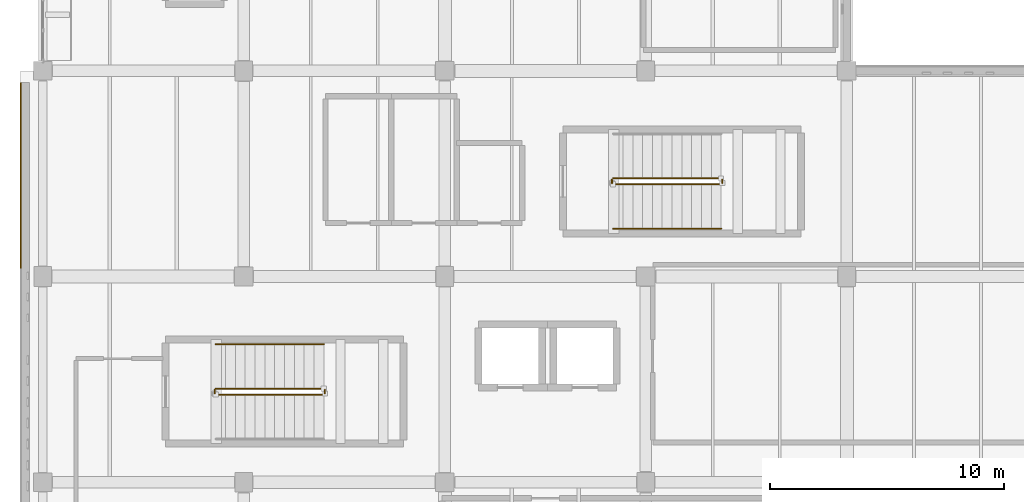
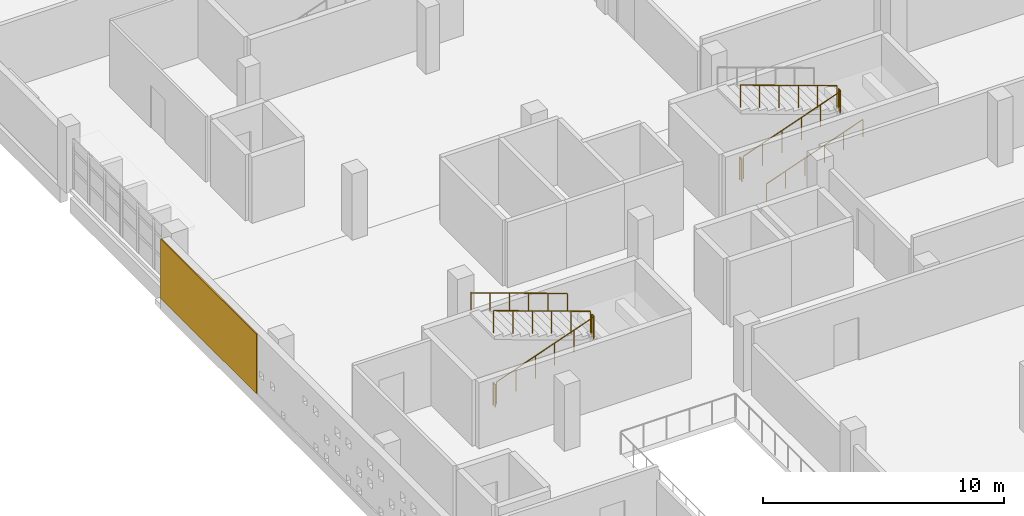
# One storey, part 67 of 75: 10 railings, 1 covering.
"""IFC4 building model written with IfcOpenShell, lengths in metres."""

from ifc_helpers import new_model, si_unit, direction, frame, origin, origin_2d, place, context, subcontext, project, spatial, rectangle, circle, extrude, material, layer, layer_set, type_object, element, save


model = new_model("IFC4")

# Units and contexts
model_context = context("Model", 3, precision=1e-05, world=origin(), true_north=direction((0.0, 1.0)))
body_context = subcontext(model_context, "Body", "Model", "MODEL_VIEW")
ifc_project = project(units=[si_unit("LENGTHUNIT", "METRE"), si_unit("AREAUNIT", "SQUARE_METRE"), si_unit("VOLUMEUNIT", "CUBIC_METRE"), si_unit("PLANEANGLEUNIT", "RADIAN"), si_unit("MASSUNIT", "GRAM", prefix="KILO")], contexts=[model_context])

# Site, building, storey
site_placement = place(None, origin())
site = spatial("IfcSite", under=ifc_project, at=site_placement, CompositionType="ELEMENT")
building_placement = place(site_placement, origin())
building = spatial("IfcBuilding", under=site, at=building_placement, Name="Varnakota Cinema and Media Centre", CompositionType="ELEMENT")
storey_placement = place(building_placement, frame((0.0, 0.0, 8.39990234375)))
storey = spatial("IfcBuildingStorey", under=building, at=storey_placement, Name="L02", CompositionType="ELEMENT", Elevation=8.39990234375)

# Covering
ifc_material_1 = material(Name="Pale Tandur limestone cladding", Category="masonry")
ifc_layer_1 = layer(ifc_material_1, 0.06005859375)
ifc_layer_set_1 = layer_set([ifc_layer_1], Name="Pale Tandur limestone cladding")
covering_type = type_object("IfcCoveringType", Name="COV-TANDUR-ASHLAR-60", PredefinedType="CLADDING", material=ifc_layer_set_1)
covering_placement = place(storey_placement, frame((-0.945068359375, 30.72509765625, 0.330078125), z_axis=(0.0, 0.0, 1.0), x_axis=(0.0, 1.0, 0.0)))
element("IfcCovering", 1, at=covering_placement, inside=storey, type_object=covering_type, Name="L02 V4 pale Tandur stone right corner ashlar V4-W", PredefinedType="CLADDING", context=body_context, shape_type="SweptSolid", body=[
    extrude(rectangle(XDim=7.949951171875, YDim=0.06005859375, at=origin_2d()), origin(), (0.0, 0.0, 1.0), 3.010009765625),
])

# Railings
ifc_material_2 = material(Name="Structural steel Grade 350 (E350)", Category="steel")
ifc_layer_2 = layer(ifc_material_2, 0.050048828125)
ifc_layer_set_2 = layer_set([ifc_layer_2], Name="Structural steel Grade 350 (E350)")
railing_type_1 = type_object("IfcRailingType", Name="RAIL-STAIR-GUARD-1150", PredefinedType="GUARDRAIL", material=ifc_layer_set_2)
railing_1_placement = place(storey_placement, frame((7.39990234375, 21.35009765625, 0.150146484375)))
element("IfcRailing", 2, at=railing_1_placement, inside=storey, type_object=railing_type_1, Name="L02 ST-01 stair guard 1", PredefinedType="GUARDRAIL", context=body_context, shape_type="SweptSolid", body=[
    extrude(circle(Radius=0.02392578125, at=origin_2d()), frame((0.0, 0.0, 1.1259765625), z_axis=(0.941750918478, 0.0, 0.336311176658), x_axis=(0.0, 1.0, 0.0)), (0.0, 0.0, 1.0), 4.90576171875),
    extrude(circle(Radius=0.02099609375, at=origin_2d()), origin(), (0.0, 0.0, 1.0), 1.101806640625),
    extrude(circle(Radius=0.02099609375, at=origin_2d()), frame((0.924072265625, 0.0, 0.330078125)), (0.0, 0.0, 1.0), 1.101806640625),
    extrude(circle(Radius=0.02099609375, at=origin_2d()), frame((1.84814453125, 0.0, 0.659912109375)), (0.0, 0.0, 1.0), 1.101806640625),
    extrude(circle(Radius=0.02099609375, at=origin_2d()), frame((2.77197265625, 0.0, 0.989990234375)), (0.0, 0.0, 1.0), 1.101806640625),
    extrude(circle(Radius=0.02099609375, at=origin_2d()), frame((3.696044921875, 0.0, 1.31982421875)), (0.0, 0.0, 1.0), 1.101806640625),
    extrude(circle(Radius=0.02099609375, at=origin_2d()), frame((4.6201171875, 0.0, 1.64990234375)), (0.0, 0.0, 1.0), 1.101806640625),
])
railing_2_placement = place(storey_placement, frame((12.070068359375, 21.39990234375, 1.800048828125)))
element("IfcRailing", 3, at=railing_2_placement, inside=storey, type_object=railing_type_1, Name="L02 ST-01 stair guard 2", PredefinedType="GUARDRAIL", context=body_context, shape_type="SweptSolid", body=[
    extrude(circle(Radius=0.02392578125, at=origin_2d()), frame((0.0, 0.0, 1.1259765625), z_axis=(0.0, 1.0, 0.0), x_axis=(-1.0, 0.0, 0.0)), (0.0, 0.0, 1.0), 0.150146484375),
    extrude(circle(Radius=0.02099609375, at=origin_2d()), origin(), (0.0, 0.0, 1.0), 1.101806640625),
    extrude(circle(Radius=0.02099609375, at=origin_2d()), frame((0.0, 0.150146484375, 0.0)), (0.0, 0.0, 1.0), 1.101806640625),
])
railing_3_placement = place(storey_placement, frame((12.02001953125, 21.60009765625, 1.9501953125)))
element("IfcRailing", 4, at=railing_3_placement, inside=storey, type_object=railing_type_1, Name="L02 ST-01 stair guard 3", PredefinedType="GUARDRAIL", context=body_context, shape_type="SweptSolid", body=[
    extrude(circle(Radius=0.02392578125, at=origin_2d()), frame((0.0, 0.0, 1.1259765625), z_axis=(-0.941750918478, 0.0, 0.336311176658), x_axis=(0.0, -1.0, 0.0)), (0.0, 0.0, 1.0), 4.90576171875),
    extrude(circle(Radius=0.02099609375, at=origin_2d()), origin(), (0.0, 0.0, 1.0), 1.101806640625),
    extrude(circle(Radius=0.02099609375, at=origin_2d()), frame((-0.924072265625, 0.0, 0.330078125)), (0.0, 0.0, 1.0), 1.101806640625),
    extrude(circle(Radius=0.02099609375, at=origin_2d()), frame((-1.84814453125, 0.0, 0.659912109375)), (0.0, 0.0, 1.0), 1.101806640625),
    extrude(circle(Radius=0.02099609375, at=origin_2d()), frame((-2.77197265625, 0.0, 0.989990234375)), (0.0, 0.0, 1.0), 1.101806640625),
    extrude(circle(Radius=0.02099609375, at=origin_2d()), frame((-3.696044921875, 0.0, 1.31982421875)), (0.0, 0.0, 1.0), 1.101806640625),
    extrude(circle(Radius=0.02099609375, at=origin_2d()), frame((-4.6201171875, 0.0, 1.64990234375)), (0.0, 0.0, 1.0), 1.101806640625),
])
railing_4_placement = place(storey_placement, frame((7.35009765625, 21.39990234375, 0.0)))
element("IfcRailing", 5, at=railing_4_placement, inside=storey, type_object=railing_type_1, Name="L02 ST-01 stair guard 4", PredefinedType="GUARDRAIL", context=body_context, shape_type="SweptSolid", body=[
    extrude(circle(Radius=0.02392578125, at=origin_2d()), frame((0.0, 0.0, 1.1259765625), z_axis=(0.0, 1.0, 0.0), x_axis=(-1.0, 0.0, 0.0)), (0.0, 0.0, 1.0), 0.150146484375),
    extrude(circle(Radius=0.02099609375, at=origin_2d()), origin(), (0.0, 0.0, 1.0), 1.101806640625),
    extrude(circle(Radius=0.02099609375, at=origin_2d()), frame((0.0, 0.150146484375, 0.0)), (0.0, 0.0, 1.0), 1.101806640625),
])
railing_5_placement = place(storey_placement, frame((24.39990234375, 30.35009765625, 0.150146484375)))
element("IfcRailing", 6, at=railing_5_placement, inside=storey, type_object=railing_type_1, Name="L02 ST-02 stair guard 1", PredefinedType="GUARDRAIL", context=body_context, shape_type="SweptSolid", body=[
    extrude(circle(Radius=0.02392578125, at=origin_2d()), frame((0.0, 0.0, 1.1259765625), z_axis=(0.941750918478, 0.0, 0.336311176658), x_axis=(0.0, 1.0, 0.0)), (0.0, 0.0, 1.0), 4.90576171875),
    extrude(circle(Radius=0.02099609375, at=origin_2d()), origin(), (0.0, 0.0, 1.0), 1.101806640625),
    extrude(circle(Radius=0.02099609375, at=origin_2d()), frame((0.924072265625, 0.0, 0.330078125)), (0.0, 0.0, 1.0), 1.101806640625),
    extrude(circle(Radius=0.02099609375, at=origin_2d()), frame((1.84814453125, 0.0, 0.659912109375)), (0.0, 0.0, 1.0), 1.101806640625),
    extrude(circle(Radius=0.02099609375, at=origin_2d()), frame((2.77197265625, 0.0, 0.989990234375)), (0.0, 0.0, 1.0), 1.101806640625),
    extrude(circle(Radius=0.02099609375, at=origin_2d()), frame((3.696044921875, 0.0, 1.31982421875)), (0.0, 0.0, 1.0), 1.101806640625),
    extrude(circle(Radius=0.02099609375, at=origin_2d()), frame((4.6201171875, 0.0, 1.64990234375)), (0.0, 0.0, 1.0), 1.101806640625),
])
railing_6_placement = place(storey_placement, frame((29.070068359375, 30.39990234375, 1.800048828125)))
element("IfcRailing", 7, at=railing_6_placement, inside=storey, type_object=railing_type_1, Name="L02 ST-02 stair guard 2", PredefinedType="GUARDRAIL", context=body_context, shape_type="SweptSolid", body=[
    extrude(circle(Radius=0.02392578125, at=origin_2d()), frame((0.0, 0.0, 1.1259765625), z_axis=(0.0, 1.0, 0.0), x_axis=(-1.0, 0.0, 0.0)), (0.0, 0.0, 1.0), 0.150146484375),
    extrude(circle(Radius=0.02099609375, at=origin_2d()), origin(), (0.0, 0.0, 1.0), 1.101806640625),
    extrude(circle(Radius=0.02099609375, at=origin_2d()), frame((0.0, 0.150146484375, 0.0)), (0.0, 0.0, 1.0), 1.101806640625),
])
railing_7_placement = place(storey_placement, frame((29.02001953125, 30.60009765625, 1.9501953125)))
element("IfcRailing", 8, at=railing_7_placement, inside=storey, type_object=railing_type_1, Name="L02 ST-02 stair guard 3", PredefinedType="GUARDRAIL", context=body_context, shape_type="SweptSolid", body=[
    extrude(circle(Radius=0.02392578125, at=origin_2d()), frame((0.0, 0.0, 1.1259765625), z_axis=(-0.941750918478, 0.0, 0.336311176658), x_axis=(0.0, -1.0, 0.0)), (0.0, 0.0, 1.0), 4.90576171875),
    extrude(circle(Radius=0.02099609375, at=origin_2d()), origin(), (0.0, 0.0, 1.0), 1.101806640625),
    extrude(circle(Radius=0.02099609375, at=origin_2d()), frame((-0.924072265625, 0.0, 0.330078125)), (0.0, 0.0, 1.0), 1.101806640625),
    extrude(circle(Radius=0.02099609375, at=origin_2d()), frame((-1.84814453125, 0.0, 0.659912109375)), (0.0, 0.0, 1.0), 1.101806640625),
    extrude(circle(Radius=0.02099609375, at=origin_2d()), frame((-2.77197265625, 0.0, 0.989990234375)), (0.0, 0.0, 1.0), 1.101806640625),
    extrude(circle(Radius=0.02099609375, at=origin_2d()), frame((-3.696044921875, 0.0, 1.31982421875)), (0.0, 0.0, 1.0), 1.101806640625),
    extrude(circle(Radius=0.02099609375, at=origin_2d()), frame((-4.6201171875, 0.0, 1.64990234375)), (0.0, 0.0, 1.0), 1.101806640625),
])
railing_8_placement = place(storey_placement, frame((24.35009765625, 30.39990234375, 0.0)))
element("IfcRailing", 9, at=railing_8_placement, inside=storey, type_object=railing_type_1, Name="L02 ST-02 stair guard 4", PredefinedType="GUARDRAIL", context=body_context, shape_type="SweptSolid", body=[
    extrude(circle(Radius=0.02392578125, at=origin_2d()), frame((0.0, 0.0, 1.1259765625), z_axis=(0.0, 1.0, 0.0), x_axis=(-1.0, 0.0, 0.0)), (0.0, 0.0, 1.0), 0.150146484375),
    extrude(circle(Radius=0.02099609375, at=origin_2d()), origin(), (0.0, 0.0, 1.0), 1.101806640625),
    extrude(circle(Radius=0.02099609375, at=origin_2d()), frame((0.0, 0.150146484375, 0.0)), (0.0, 0.0, 1.0), 1.101806640625),
])
ifc_material_3 = material(Name="Structural steel Grade 350 (E350)", Category="steel")
ifc_layer_3 = layer(ifc_material_3, 0.048095703125)
ifc_layer_set_3 = layer_set([ifc_layer_3], Name="Structural steel Grade 350 (E350)")
railing_type_2 = type_object("IfcRailingType", Name="RAIL-STAIR-HAND-900", PredefinedType="HANDRAIL", material=ifc_layer_set_3)
railing_9_placement = place(storey_placement, frame((12.02001953125, 23.5, 1.9501953125)))
element("IfcRailing", 10, at=railing_9_placement, inside=storey, type_object=railing_type_2, Name="L02 ST-01 stair handrail 2", PredefinedType="HANDRAIL", context=body_context, shape_type="SweptSolid", body=[
    extrude(circle(Radius=0.02392578125, at=origin_2d()), frame((0.0, 0.0, 0.8759765625), z_axis=(-0.941750918478, 0.0, 0.336311176658), x_axis=(0.0, -1.0, 0.0)), (0.0, 0.0, 1.0), 4.90576171875),
    extrude(circle(Radius=0.02099609375, at=origin_2d()), origin(), (0.0, 0.0, 1.0), 0.851806640625),
    extrude(circle(Radius=0.02099609375, at=origin_2d()), frame((-0.924072265625, 0.0, 0.330078125)), (0.0, 0.0, 1.0), 0.851806640625),
    extrude(circle(Radius=0.02099609375, at=origin_2d()), frame((-1.84814453125, 0.0, 0.659912109375)), (0.0, 0.0, 1.0), 0.851806640625),
    extrude(circle(Radius=0.02099609375, at=origin_2d()), frame((-2.77197265625, 0.0, 0.989990234375)), (0.0, 0.0, 1.0), 0.851806640625),
    extrude(circle(Radius=0.02099609375, at=origin_2d()), frame((-3.696044921875, 0.0, 1.31982421875)), (0.0, 0.0, 1.0), 0.851806640625),
    extrude(circle(Radius=0.02099609375, at=origin_2d()), frame((-4.6201171875, 0.0, 1.64990234375)), (0.0, 0.0, 1.0), 0.851806640625),
])
railing_10_placement = place(storey_placement, frame((24.39990234375, 28.449951171875, 0.150146484375)))
element("IfcRailing", 11, at=railing_10_placement, inside=storey, type_object=railing_type_2, Name="L02 ST-02 stair handrail 1", PredefinedType="HANDRAIL", context=body_context, shape_type="SweptSolid", body=[
    extrude(circle(Radius=0.02392578125, at=origin_2d()), frame((0.0, 0.0, 0.8759765625), z_axis=(0.941750918478, 0.0, 0.336311176658), x_axis=(0.0, 1.0, 0.0)), (0.0, 0.0, 1.0), 4.90576171875),
    extrude(circle(Radius=0.02099609375, at=origin_2d()), origin(), (0.0, 0.0, 1.0), 0.851806640625),
    extrude(circle(Radius=0.02099609375, at=origin_2d()), frame((0.924072265625, 0.0, 0.330078125)), (0.0, 0.0, 1.0), 0.851806640625),
    extrude(circle(Radius=0.02099609375, at=origin_2d()), frame((1.84814453125, 0.0, 0.659912109375)), (0.0, 0.0, 1.0), 0.851806640625),
    extrude(circle(Radius=0.02099609375, at=origin_2d()), frame((2.77197265625, 0.0, 0.989990234375)), (0.0, 0.0, 1.0), 0.851806640625),
    extrude(circle(Radius=0.02099609375, at=origin_2d()), frame((3.696044921875, 0.0, 1.31982421875)), (0.0, 0.0, 1.0), 0.851806640625),
    extrude(circle(Radius=0.02099609375, at=origin_2d()), frame((4.6201171875, 0.0, 1.64990234375)), (0.0, 0.0, 1.0), 0.851806640625),
])

save(model, "model.ifc")
